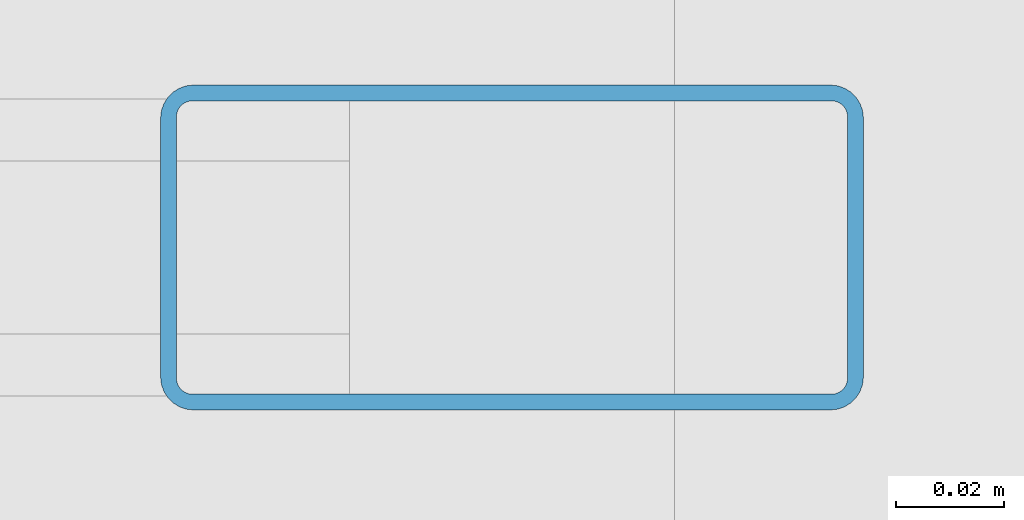
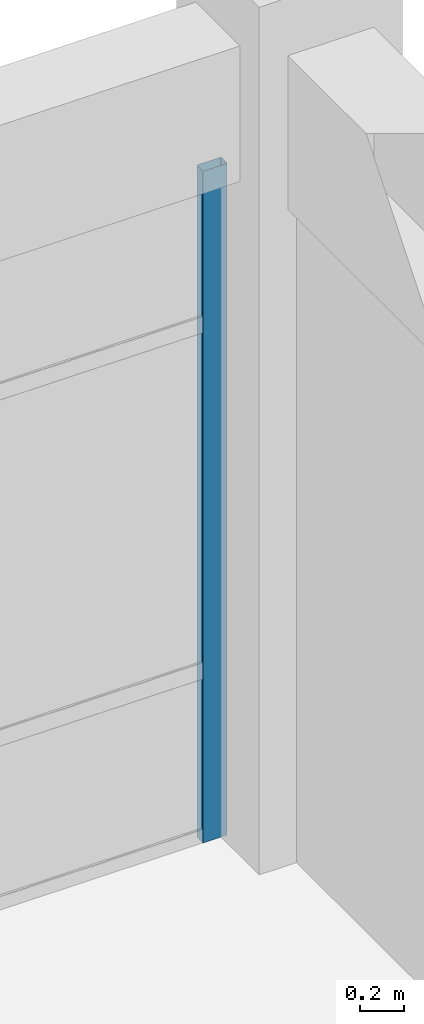
# One storey, part 47 of 111: 1 member, 1 element without a shape of its own.
"""IFC4 building model written with IfcOpenShell, lengths in metres."""

from ifc_helpers import new_model, si_unit, direction, frame, origin, origin_2d, place, context, subcontext, project, spatial, hollow_rectangle, extrude, material, material_profile, profile_set, type_object, element, aggregate, save


model = new_model("IFC4")

# Units and contexts
model_context = context("Model", 3, precision=1e-05, world=origin(), true_north=direction((0.0, 1.0)))
body_context = subcontext(model_context, "Body", "Model", "MODEL_VIEW")
ifc_project = project(units=[si_unit("LENGTHUNIT", "METRE"), si_unit("AREAUNIT", "SQUARE_METRE"), si_unit("VOLUMEUNIT", "CUBIC_METRE"), si_unit("PLANEANGLEUNIT", "RADIAN"), si_unit("MASSUNIT", "GRAM", prefix="KILO")], contexts=[model_context])

# Site, building, storey
site_placement = place(None, origin())
site = spatial("IfcSite", under=ifc_project, at=site_placement, CompositionType="ELEMENT")
building_placement = place(site_placement, origin())
building = spatial("IfcBuilding", under=site, at=building_placement, Name="Canglan Escarpment Cableway Terminal", CompositionType="ELEMENT")
storey_placement = place(building_placement, frame((0.0, 0.0, 4.800048828125)))
storey = spatial("IfcBuildingStorey", under=building, at=storey_placement, Name="L01", CompositionType="ELEMENT", Elevation=4.800048828125)

# Curtain wall, member
ifc_material_1 = material(Name="Anodized bronze aluminium and Low-E double glazing", Category="aluminium")
curtain_wall_type = type_object("IfcCurtainWallType", Name="CW-BAY-7650x3725", PredefinedType="NOTDEFINED", material=ifc_material_1)
curtain_wall_placement = place(storey_placement, origin())
curtain_wall = element("IfcCurtainWall", 1, at=curtain_wall_placement, inside=storey, type_object=curtain_wall_type, Name="Classical bay-between-piers glazed curtain wall CW-01", PredefinedType="NOTDEFINED")
ifc_material_2 = material(Name="Thermally broken anodized aluminium 6063-T6", Category="aluminium")
ifc_material_profile = material_profile(ifc_material_2, hollow_rectangle(XDim=0.06005859375, YDim=0.1298828125, WallThickness=0.0029296875, InnerFilletRadius=0.0029296875, OuterFilletRadius=0.006103515625, at=origin_2d()), Name="ALU-MULL 60x130x3")
ifc_profile_set = profile_set([ifc_material_profile], Name="Thermally broken anodized aluminium 6063-T6")
member_type = type_object("IfcMemberType", Name="CWM-01", PredefinedType="MULLION", material=ifc_profile_set)
member_placement = place(storey_placement, frame((136.294921875, 33.10009765625, 0.0), z_axis=(0.0, 0.0, 1.0), x_axis=(0.0, -1.0, 0.0)))
member = element("IfcMember", 2, at=member_placement, type_object=member_type, Name="CW-01 mullion 1", PredefinedType="MULLION", context=body_context, shape_type="SweptSolid", body=[
    extrude(hollow_rectangle(XDim=0.06005859375, YDim=0.1298828125, WallThickness=0.0029296875, InnerFilletRadius=0.0029296875, OuterFilletRadius=0.006103515625, at=origin_2d()), origin(), (0.0, 0.0, 1.0), 3.71484375),
])
aggregate(curtain_wall, [member])

save(model, "model.ifc")
